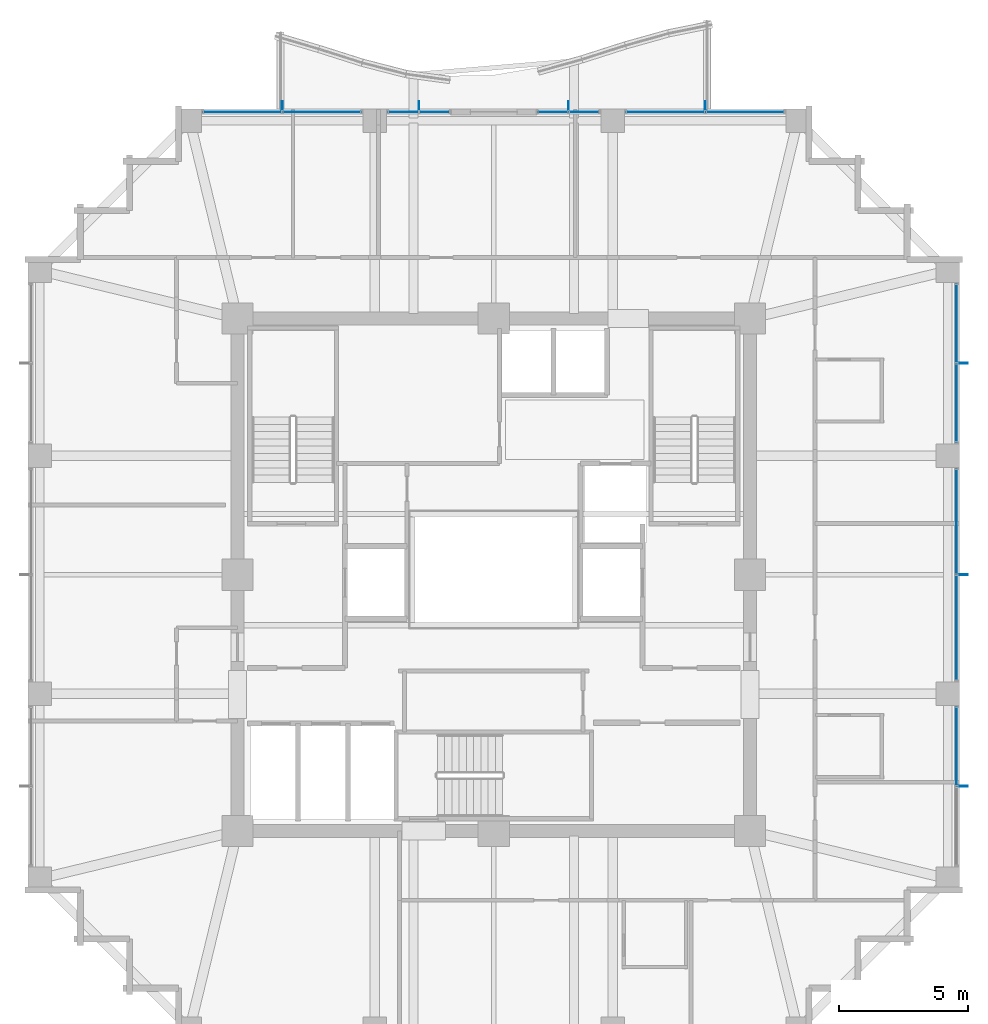
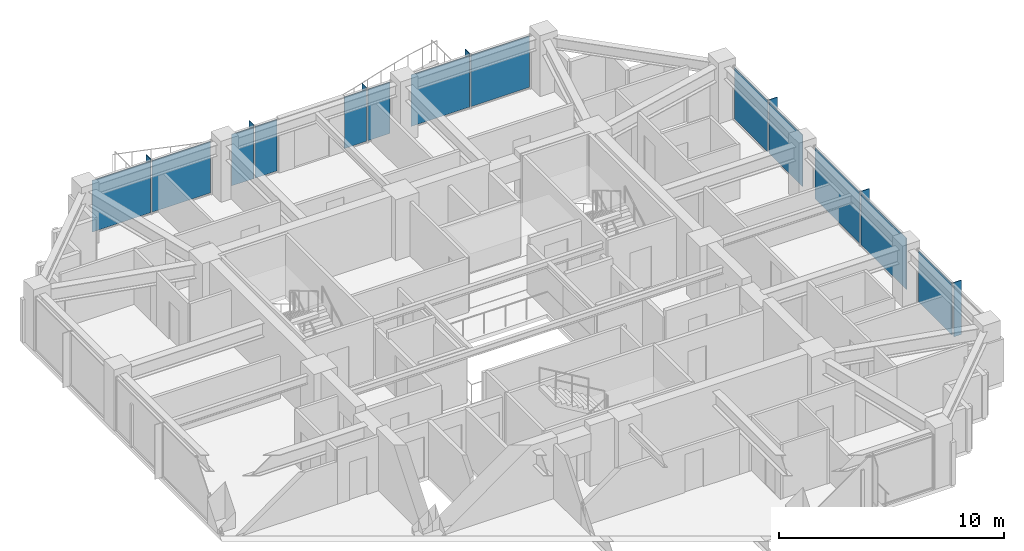
# One storey, part 25 of 31: 20 plates, 7 elements without a shape of their own.
"""IFC4 building model written with IfcOpenShell, lengths in metres."""

from ifc_helpers import new_model, si_unit, direction, frame, origin, origin_2d, place, context, subcontext, project, spatial, rectangle, extrude, material, layer, layer_set, type_object, element, aggregate, save


model = new_model("IFC4")

# Units and contexts
model_context = context("Model", 3, precision=1e-05, world=origin(), true_north=direction((0.0, 1.0)))
body_context = subcontext(model_context, "Body", "Model", "MODEL_VIEW")
ifc_project = project(units=[si_unit("LENGTHUNIT", "METRE"), si_unit("AREAUNIT", "SQUARE_METRE"), si_unit("VOLUMEUNIT", "CUBIC_METRE"), si_unit("PLANEANGLEUNIT", "RADIAN"), si_unit("MASSUNIT", "GRAM", prefix="KILO")], contexts=[model_context])

# Site, building, storey
site_placement = place(None, origin())
site = spatial("IfcSite", under=ifc_project, at=site_placement, CompositionType="ELEMENT")
building_placement = place(site_placement, origin())
building = spatial("IfcBuilding", under=site, at=building_placement, Name="Kolvaren Belvedere", CompositionType="ELEMENT")
storey_placement = place(building_placement, frame((0.0, 0.0, 144.800048828125)))
storey = spatial("IfcBuildingStorey", under=building, at=storey_placement, Name="L42", CompositionType="ELEMENT", Elevation=144.800048828125)

# Curtain wall, plates
ifc_material_1 = material(Name="Anodised pale-metal aluminium AA 6063-T6", Category="aluminium")
curtain_wall_type = type_object("IfcCurtainWallType", Name="CW-Z3-WAIST", PredefinedType="NOTDEFINED", material=ifc_material_1)
curtain_wall_1_placement = place(storey_placement, origin())
curtain_wall_1 = element("IfcCurtainWall", 1, at=curtain_wall_1_placement, inside=storey, type_object=curtain_wall_type, Name="L42 Unitised Curtain Wall FCW-L42-E-B1", PredefinedType="NOTDEFINED")
ifc_material_2 = material(Name="Low-iron triple insulated glass", Category="glass")
ifc_layer_1 = layer(ifc_material_2, 0.028076171875)
ifc_layer_set_1 = layer_set([ifc_layer_1], Name="Low-iron triple insulated glass")
plate_type_1 = type_object("IfcPlateType", Name="CW-PNL-VIS28", PredefinedType="CURTAIN_PANEL", material=ifc_layer_set_1)
plate_1_placement = place(storey_placement, frame((17.8798828125, 9.711181640625, 0.079833984375), z_axis=(0.0, 0.0, 1.0), x_axis=(0.0, -1.0, 0.0)))
plate_1 = element("IfcPlate", 2, at=plate_1_placement, type_object=plate_type_1, Name="FCW-L42-E-B1 Vision Glazing Panel 1", PredefinedType="CURTAIN_PANEL", context=body_context, shape_type="SweptSolid", body=[
    extrude(rectangle(XDim=2.992431640625, YDim=0.028076171875, at=origin_2d()), origin(), (0.0, 0.0, 1.0), 2.7900390625),
])
plate_2_placement = place(storey_placement, frame((17.8798828125, 6.638671875, 0.079833984375), z_axis=(0.0, 0.0, 1.0), x_axis=(0.0, -1.0, 0.0)))
plate_2 = element("IfcPlate", 3, at=plate_2_placement, type_object=plate_type_1, Name="FCW-L42-E-B1 Vision Glazing Panel 2", PredefinedType="CURTAIN_PANEL", context=body_context, shape_type="SweptSolid", body=[
    extrude(rectangle(XDim=2.992431640625, YDim=0.028076171875, at=origin_2d()), origin(), (0.0, 0.0, 1.0), 2.7900390625),
])
aggregate(curtain_wall_1, [plate_1, plate_2])

curtain_wall_2_placement = place(storey_placement, origin())
curtain_wall_2 = element("IfcCurtainWall", 4, at=curtain_wall_2_placement, inside=storey, type_object=curtain_wall_type, Name="L42 Unitised Curtain Wall FCW-L42-E-B2", PredefinedType="NOTDEFINED")
plate_3_placement = place(storey_placement, frame((17.8798828125, 2.048828125, 0.079833984375), z_axis=(0.0, 0.0, 1.0), x_axis=(0.0, -1.0, 0.0)))
plate_3 = element("IfcPlate", 5, at=plate_3_placement, type_object=plate_type_1, Name="FCW-L42-E-B2 Vision Glazing Panel 1", PredefinedType="CURTAIN_PANEL", context=body_context, shape_type="SweptSolid", body=[
    extrude(rectangle(XDim=4.017578125, YDim=0.028076171875, at=origin_2d()), origin(), (0.0, 0.0, 1.0), 2.7900390625),
])
plate_4_placement = place(storey_placement, frame((17.8798828125, -2.048828125, 0.079833984375), z_axis=(0.0, 0.0, 1.0), x_axis=(0.0, -1.0, 0.0)))
plate_4 = element("IfcPlate", 6, at=plate_4_placement, type_object=plate_type_1, Name="FCW-L42-E-B2 Vision Glazing Panel 2", PredefinedType="CURTAIN_PANEL", context=body_context, shape_type="SweptSolid", body=[
    extrude(rectangle(XDim=4.017578125, YDim=0.028076171875, at=origin_2d()), origin(), (0.0, 0.0, 1.0), 2.7900390625),
])
aggregate(curtain_wall_2, [plate_3, plate_4])

# Curtain wall, plate
curtain_wall_3_placement = place(storey_placement, origin())
curtain_wall_3 = element("IfcCurtainWall", 7, at=curtain_wall_3_placement, inside=storey, type_object=curtain_wall_type, Name="L42 Unitised Curtain Wall FCW-L42-E-B3", PredefinedType="NOTDEFINED")
plate_5_placement = place(storey_placement, frame((17.8798828125, -6.638671875, 0.079833984375), z_axis=(0.0, 0.0, 1.0), x_axis=(0.0, -1.0, 0.0)))
plate_5 = element("IfcPlate", 8, at=plate_5_placement, type_object=plate_type_1, Name="FCW-L42-E-B3 Vision Glazing Panel 1", PredefinedType="CURTAIN_PANEL", context=body_context, shape_type="SweptSolid", body=[
    extrude(rectangle(XDim=2.992431640625, YDim=0.028076171875, at=origin_2d()), origin(), (0.0, 0.0, 1.0), 2.7900390625),
])
aggregate(curtain_wall_3, [plate_5])

# Curtain wall, plates
curtain_wall_4_placement = place(storey_placement, origin())
curtain_wall_4 = element("IfcCurtainWall", 9, at=curtain_wall_4_placement, inside=storey, type_object=curtain_wall_type, Name="L42 Unitised Curtain Wall FCW-L42-N1-B1", PredefinedType="NOTDEFINED")
plate_6_placement = place(storey_placement, frame((-9.711181640625, 17.8798828125, 0.079833984375), z_axis=(0.0, 0.0, 1.0), x_axis=(1.0, 0.0, 0.0)))
plate_6 = element("IfcPlate", 10, at=plate_6_placement, type_object=plate_type_1, Name="FCW-L42-N1-B1 Vision Glazing Panel 1", PredefinedType="CURTAIN_PANEL", context=body_context, shape_type="SweptSolid", body=[
    extrude(rectangle(XDim=2.992431640625, YDim=0.028076171875, at=origin_2d()), origin(), (0.0, 0.0, 1.0), 2.7900390625),
])
plate_7_placement = place(storey_placement, frame((-6.638671875, 17.8798828125, 0.079833984375), z_axis=(0.0, 0.0, 1.0), x_axis=(1.0, 0.0, 0.0)))
plate_7 = element("IfcPlate", 11, at=plate_7_placement, type_object=plate_type_1, Name="FCW-L42-N1-B1 Vision Glazing Panel 2", PredefinedType="CURTAIN_PANEL", context=body_context, shape_type="SweptSolid", body=[
    extrude(rectangle(XDim=2.992431640625, YDim=0.028076171875, at=origin_2d()), origin(), (0.0, 0.0, 1.0), 2.7900390625),
])
aggregate(curtain_wall_4, [plate_6, plate_7])

curtain_wall_5_placement = place(storey_placement, origin())
curtain_wall_5 = element("IfcCurtainWall", 12, at=curtain_wall_5_placement, inside=storey, type_object=curtain_wall_type, Name="L42 Unitised Curtain Wall FCW-L42-N1-B2", PredefinedType="NOTDEFINED")
plate_8_placement = place(storey_placement, frame((-3.4931640625, 17.8798828125, 0.079833984375), z_axis=(0.0, 0.0, 1.0), x_axis=(1.0, 0.0, 0.0)))
plate_8 = element("IfcPlate", 13, at=plate_8_placement, type_object=plate_type_1, Name="FCW-L42-N1-B2 Vision Glazing Panel 1", PredefinedType="CURTAIN_PANEL", context=body_context, shape_type="SweptSolid", body=[
    extrude(rectangle(XDim=1.12890625, YDim=0.028076171875, at=origin_2d()), origin(), (0.0, 0.0, 1.0), 2.7900390625),
])
plate_9_placement = place(storey_placement, frame((-2.284423828125, 17.8798828125, 0.079833984375), z_axis=(0.0, 0.0, 1.0), x_axis=(1.0, 0.0, 0.0)))
plate_9 = element("IfcPlate", 14, at=plate_9_placement, type_object=plate_type_1, Name="FCW-L42-N1-B2 Vision Glazing Panel 2", PredefinedType="CURTAIN_PANEL", context=body_context, shape_type="SweptSolid", body=[
    extrude(rectangle(XDim=1.12890625, YDim=0.028076171875, at=origin_2d()), origin(), (0.0, 0.0, 1.0), 2.7900390625),
])
aggregate(curtain_wall_5, [plate_8, plate_9])

curtain_wall_6_placement = place(storey_placement, origin())
curtain_wall_6 = element("IfcCurtainWall", 15, at=curtain_wall_6_placement, inside=storey, type_object=curtain_wall_type, Name="L42 Unitised Curtain Wall FCW-L42-N2-B1", PredefinedType="NOTDEFINED")
plate_10_placement = place(storey_placement, frame((2.284423828125, 17.8798828125, 0.079833984375), z_axis=(0.0, 0.0, 1.0), x_axis=(1.0, 0.0, 0.0)))
plate_10 = element("IfcPlate", 16, at=plate_10_placement, type_object=plate_type_1, Name="FCW-L42-N2-B1 Vision Glazing Panel 1", PredefinedType="CURTAIN_PANEL", context=body_context, shape_type="SweptSolid", body=[
    extrude(rectangle(XDim=1.12890625, YDim=0.028076171875, at=origin_2d()), origin(), (0.0, 0.0, 1.0), 2.7900390625),
])
plate_11_placement = place(storey_placement, frame((3.4931640625, 17.8798828125, 0.079833984375), z_axis=(0.0, 0.0, 1.0), x_axis=(1.0, 0.0, 0.0)))
plate_11 = element("IfcPlate", 17, at=plate_11_placement, type_object=plate_type_1, Name="FCW-L42-N2-B1 Vision Glazing Panel 2", PredefinedType="CURTAIN_PANEL", context=body_context, shape_type="SweptSolid", body=[
    extrude(rectangle(XDim=1.12890625, YDim=0.028076171875, at=origin_2d()), origin(), (0.0, 0.0, 1.0), 2.7900390625),
])
aggregate(curtain_wall_6, [plate_10, plate_11])

curtain_wall_7_placement = place(storey_placement, origin())
curtain_wall_7 = element("IfcCurtainWall", 18, at=curtain_wall_7_placement, inside=storey, type_object=curtain_wall_type, Name="L42 Unitised Curtain Wall FCW-L42-N2-B2", PredefinedType="NOTDEFINED")
plate_12_placement = place(storey_placement, frame((6.638671875, 17.8798828125, 0.079833984375), z_axis=(0.0, 0.0, 1.0), x_axis=(1.0, 0.0, 0.0)))
plate_12 = element("IfcPlate", 19, at=plate_12_placement, type_object=plate_type_1, Name="FCW-L42-N2-B2 Vision Glazing Panel 1", PredefinedType="CURTAIN_PANEL", context=body_context, shape_type="SweptSolid", body=[
    extrude(rectangle(XDim=2.992431640625, YDim=0.028076171875, at=origin_2d()), origin(), (0.0, 0.0, 1.0), 2.7900390625),
])
plate_13_placement = place(storey_placement, frame((9.711181640625, 17.8798828125, 0.079833984375), z_axis=(0.0, 0.0, 1.0), x_axis=(1.0, 0.0, 0.0)))
plate_13 = element("IfcPlate", 20, at=plate_13_placement, type_object=plate_type_1, Name="FCW-L42-N2-B2 Vision Glazing Panel 2", PredefinedType="CURTAIN_PANEL", context=body_context, shape_type="SweptSolid", body=[
    extrude(rectangle(XDim=2.992431640625, YDim=0.028076171875, at=origin_2d()), origin(), (0.0, 0.0, 1.0), 2.7900390625),
])
aggregate(curtain_wall_7, [plate_12, plate_13])

# Plates
ifc_material_3 = material(Name="Anodised pale-metal aluminium AA 6063-T6", Category="aluminium")
ifc_layer_2 = layer(ifc_material_3, 0.033935546875)
ifc_layer_set_2 = layer_set([ifc_layer_2], Name="Anodised pale-metal aluminium AA 6063-T6")
plate_type_2 = type_object("IfcPlateType", Name="FIN-VERT-380", PredefinedType="USERDEFINED", material=ifc_layer_set_2)
for number, where, z_axis, x_axis, name in (
    (21, (18.1201171875, 8.175048828125, 0.0), (0.0, 0.0, 1.0), (1.0, 0.0, 0.0), "L42 Pale-Metal Vertical Shading Fin FCW-L42-E-B1-1"),
    (22, (18.1201171875, 0.0, 0.0), (0.0, 0.0, 1.0), (1.0, 0.0, 0.0), "L42 Pale-Metal Vertical Shading Fin FCW-L42-E-B2-1"),
    (23, (18.1201171875, -8.175048828125, 0.0), (0.0, 0.0, 1.0), (1.0, 0.0, 0.0), "L42 Pale-Metal Vertical Shading Fin FCW-L42-E-B3-1"),
    (24, (-8.175048828125, 18.1201171875, 0.0), (0.0, 0.0, 1.0), (0.0, 1.0, 0.0), "L42 Pale-Metal Vertical Shading Fin FCW-L42-N1-B1-1"),
    (25, (-2.888671875, 18.1201171875, 0.0), (0.0, 0.0, 1.0), (0.0, 1.0, 0.0), "L42 Pale-Metal Vertical Shading Fin FCW-L42-N1-B2-1"),
    (26, (2.888671875, 18.1201171875, 0.0), (0.0, 0.0, 1.0), (0.0, 1.0, 0.0), "L42 Pale-Metal Vertical Shading Fin FCW-L42-N2-B1-1"),
    (27, (8.175048828125, 18.1201171875, 0.0), (0.0, 0.0, 1.0), (0.0, 1.0, 0.0), "L42 Pale-Metal Vertical Shading Fin FCW-L42-N2-B2-1"),
):
    element("IfcPlate", number, at=place(storey_placement, frame(where, z_axis=z_axis, x_axis=x_axis)), inside=storey, type_object=plate_type_2, Name=name, ObjectType="VERTICAL FIN", PredefinedType="USERDEFINED", context=body_context, shape_type="SweptSolid", body=[
        extrude(rectangle(XDim=0.3798828125, YDim=0.033935546875, at=origin_2d()), origin(), (0.0, 0.0, 1.0), 2.949951171875),
    ])

save(model, "model.ifc")
